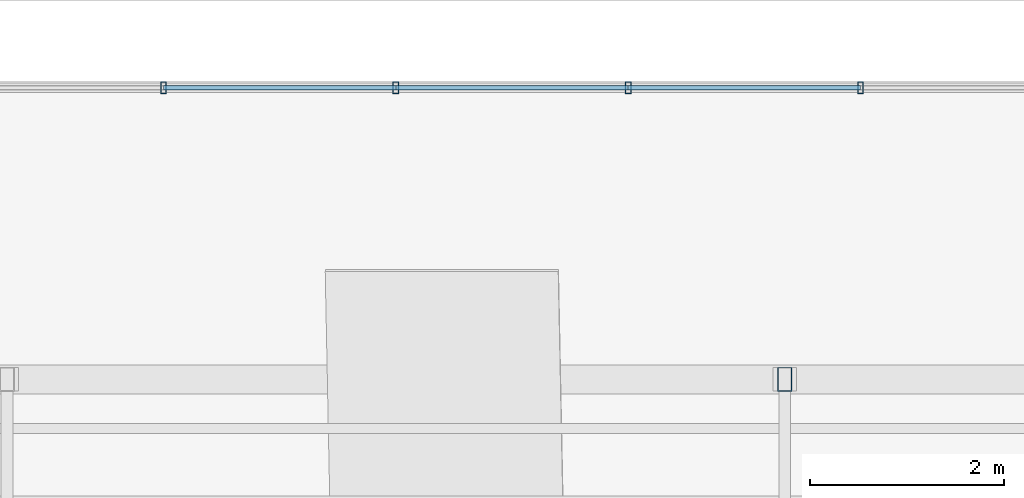
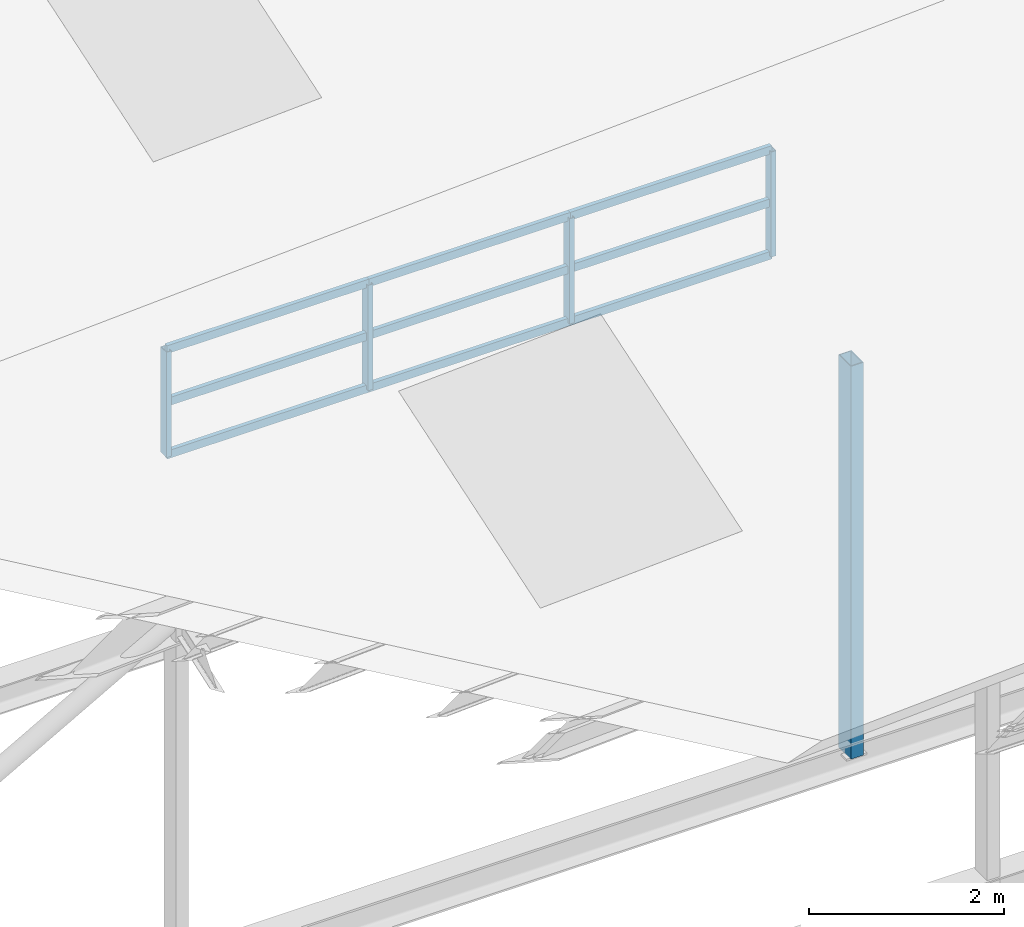
# One storey, part 80 of 141: 14 members, 1 element without a shape of its own.
"""IFC4 building model written with IfcOpenShell, lengths in metres."""

import ifcopenshell
import ifcopenshell.guid

model = None  # the IFC model being written
_history = None  # IfcOwnerHistory: only IFC2X3 demands one
_inside = {}  # id of a spatial element -> (the spatial element, [elements in it])
_under = {}  # id of a project, library or spatial element -> (it, [spatial elements below it])
_declared = {}  # id of a project -> (the project, [libraries it declares])
_typed = {}  # id of a type object -> (the type object, [elements of that type])
_made_of = {}  # id of a material, layer set ... -> (it, [elements and type objects made of it])


def new_model(schema):
    """Start an empty IFC model of exactly this schema.

    Asked for "IFC4X3", IfcOpenShell would pick the latest addendum, in which some entities
    have other attributes; the version numbers below select the first issue.
    IFC2X3 requires an IfcOwnerHistory on every rooted entity: one is made here for all.
    """
    global model, _history
    if schema == "IFC4X3":
        model = ifcopenshell.file(schema_version=(4, 3, 0, 0))
    else:
        model = ifcopenshell.file(schema=schema)
    _inside.clear()
    _under.clear()
    _declared.clear()
    _typed.clear()
    _made_of.clear()
    _history = None
    if model.schema == "IFC2X3":
        org = make("IfcOrganization", Name="unknown")
        user = make(
            "IfcPersonAndOrganization",
            ThePerson=make("IfcPerson", FamilyName="unknown"),
            TheOrganization=org,
        )
        app = make(
            "IfcApplication",
            ApplicationDeveloper=org,
            Version="unknown",
            ApplicationFullName="unknown",
            ApplicationIdentifier="unknown",
        )
        _history = make(
            "IfcOwnerHistory",
            OwningUser=user,
            OwningApplication=app,
            ChangeAction="ADDED",
            CreationDate=0,
        )
    return model


def make(cls, **values):
    """One entity of the class cls with the attributes given. An attribute that is None is left unset."""
    return model.create_entity(
        cls, **{name: value for name, value in values.items() if value is not None}
    )


def rooted(cls, **values):
    """An entity with a GlobalId (a new one), such as an element, a storey or a relation."""
    return make(cls, GlobalId=ifcopenshell.guid.new(), OwnerHistory=_history, **values)


def si_unit(unit_type, name, prefix=None):
    """IfcSIUnit, for example si_unit("LENGTHUNIT", "METRE", prefix="MILLI")."""
    return make("IfcSIUnit", UnitType=unit_type, Prefix=prefix, Name=name)


def assignment(units):
    """IfcUnitAssignment: the units of a project."""
    return None if units is None else make("IfcUnitAssignment", Units=units)


def point(xyz):
    """IfcCartesianPoint."""
    return None if xyz is None else make("IfcCartesianPoint", Coordinates=xyz)


def direction(xyz):
    """IfcDirection."""
    return None if xyz is None else make("IfcDirection", DirectionRatios=xyz)


def frame(location, z_axis=None, x_axis=None):
    """IfcAxis2Placement3D, a coordinate frame: its origin and axes. An axis left out is left unset."""
    return make(
        "IfcAxis2Placement3D",
        Location=point(location),
        Axis=direction(z_axis),
        RefDirection=direction(x_axis),
    )


def frame_2d(location, x_axis=None):
    """IfcAxis2Placement2D, a coordinate frame in the plane: its origin and x axis."""
    return make(
        "IfcAxis2Placement2D", Location=point(location), RefDirection=direction(x_axis)
    )


def origin():
    """The frame at (0, 0, 0) with its axes left unset."""
    return frame((0.0, 0.0, 0.0))


def origin_2d():
    """The frame at (0, 0) in the plane with its x axis left unset."""
    return frame_2d((0.0, 0.0))


def place(relative_to, where):
    """IfcLocalPlacement: puts the frame where relative to a parent placement (None: the world)."""
    return make(
        "IfcLocalPlacement", PlacementRelTo=relative_to, RelativePlacement=where
    )


def context(
    kind, dimensions, precision=None, world=None, true_north=None, identifier=None
):
    """IfcGeometricRepresentationContext, for example the 3D "Model" context."""
    return make(
        "IfcGeometricRepresentationContext",
        ContextIdentifier=identifier,
        ContextType=kind,
        CoordinateSpaceDimension=dimensions,
        Precision=precision,
        WorldCoordinateSystem=world,
        TrueNorth=true_north,
    )


def subcontext(parent, identifier, kind, view, scale=None):
    """IfcGeometricRepresentationSubContext, for example "Body" below "Model"."""
    return make(
        "IfcGeometricRepresentationSubContext",
        ContextIdentifier=identifier,
        ContextType=kind,
        ParentContext=parent,
        TargetScale=scale,
        TargetView=view,
    )


def project(units=None, contexts=None):
    """IfcProject with its units and contexts."""
    return rooted(
        "IfcProject",
        Name="project",
        RepresentationContexts=contexts,
        UnitsInContext=assignment(units),
    )


def spatial(cls, under=None, at=None, **own):
    """A site, building, storey or space (cls), placed at a placement, below another one or the project."""
    s = rooted(cls, ObjectPlacement=at, **own)
    if under is not None:
        _under.setdefault(under.id(), (under, []))[1].append(s)
    return s


def profile(cls, at=None, kind="AREA", **sizes):
    """A parametric profile (cls). Its sizes go by their IFC names, for example OverallWidth=200.0."""
    return make(cls, ProfileType=kind, Position=at, **sizes)


def hollow_rectangle(**sizes):
    """IfcRectangleHollowProfileDef."""
    return profile("IfcRectangleHollowProfileDef", **sizes)


def extrude(swept, where, along, depth):
    """IfcExtrudedAreaSolid: the profile swept, set in the frame where, extruded along a direction by depth."""
    return make(
        "IfcExtrudedAreaSolid",
        SweptArea=swept,
        Position=where,
        ExtrudedDirection=direction(along),
        Depth=depth,
    )


def shape(context_of_items, identifier, shape_type, items):
    """IfcShapeRepresentation: the items that make up one representation, for example the "Body"."""
    return make(
        "IfcShapeRepresentation",
        ContextOfItems=context_of_items,
        RepresentationIdentifier=identifier,
        RepresentationType=shape_type,
        Items=items,
    )


def material(Name=None, Category=None):
    """IfcMaterial."""
    return make("IfcMaterial", Name=Name, Category=Category)


def material_profile(
    of_material, cross_section, Name=None, Category=None, Priority=None
):
    """IfcMaterialProfile: a cross section and its material."""
    return make(
        "IfcMaterialProfile",
        Name=Name,
        Material=of_material,
        Profile=cross_section,
        Priority=Priority,
        Category=Category,
    )


def profile_set(profiles, Name=None, composite=None):
    """IfcMaterialProfileSet."""
    return make(
        "IfcMaterialProfileSet",
        Name=Name,
        MaterialProfiles=profiles,
        CompositeProfile=composite,
    )


def made_of(thing, what):
    """Note that an element or type object is made of a material, layer set ...; save() writes the relation."""
    if what is not None:
        _made_of.setdefault(what.id(), (what, []))[1].append(thing)
    return thing


def type_object(cls, material=None, **own):
    """A type object (cls), such as IfcWallType, which elements share."""
    return made_of(rooted(cls, **own), material)


def element(
    cls,
    number,
    at=None,
    inside=None,
    cuts=None,
    type_object=None,
    material=None,
    context=None,
    identifier="Body",
    shape_type=None,
    held_by="IfcProductDefinitionShape",
    body=None,
    shapes=None,
    **own,
):
    """One element of the class cls, such as IfcWall. Its Tag is "e" and its number.

    at: its placement. inside: the storey or other place that contains it. cuts: it is an
    opening in that element (IfcRelVoidsElement). A single representation is given by context,
    identifier, shape_type and body (its items); several are given by shapes. held_by: the class
    of the entity that holds the representations. save() writes the other relations.
    """
    e = rooted(cls, Tag="e%d" % number, ObjectPlacement=at, **own)
    if body is not None:
        shapes = [shape(context, identifier, shape_type, body)]
    if shapes is not None:
        e.Representation = make(held_by, Representations=shapes)
    if inside is not None:
        _inside.setdefault(inside.id(), (inside, []))[1].append(e)
    if cuts is not None:
        rooted(
            "IfcRelVoidsElement", RelatingBuildingElement=cuts, RelatedOpeningElement=e
        )
    if type_object is not None:
        _typed.setdefault(type_object.id(), (type_object, []))[1].append(e)
    return made_of(e, material)


def aggregate(whole, parts):
    """IfcRelAggregates: a whole, such as a stair, and the parts it consists of."""
    return rooted("IfcRelAggregates", RelatingObject=whole, RelatedObjects=parts)


def save(model, path):
    """Write the relations noted so far, then the file.

    IfcRelAggregates (storeys below a building ...), IfcRelContainedInSpatialStructure (elements
    in a storey), IfcRelDefinesByType, IfcRelAssociatesMaterial and IfcRelDeclares: one each for
    every whole, place, type object, material and project.
    """
    for whole, parts in _under.values():
        aggregate(whole, parts)
    for where, things in _inside.values():
        rooted(
            "IfcRelContainedInSpatialStructure",
            RelatedElements=things,
            RelatingStructure=where,
        )
    for kind, things in _typed.values():
        rooted("IfcRelDefinesByType", RelatedObjects=things, RelatingType=kind)
    for what, things in _made_of.values():
        rooted("IfcRelAssociatesMaterial", RelatedObjects=things, RelatingMaterial=what)
    for by, libraries in _declared.values():
        rooted("IfcRelDeclares", RelatingContext=by, RelatedDefinitions=libraries)
    model.write(path)


model = new_model("IFC4")

# Units and contexts
model_context = context("Model", 3, precision=1e-05, world=origin(), true_north=direction((0.0, 1.0)))
body_context = subcontext(model_context, "Body", "Model", "MODEL_VIEW")
ifc_project = project(units=[si_unit("LENGTHUNIT", "METRE"), si_unit("AREAUNIT", "SQUARE_METRE"), si_unit("VOLUMEUNIT", "CUBIC_METRE"), si_unit("PLANEANGLEUNIT", "RADIAN"), si_unit("MASSUNIT", "GRAM", prefix="KILO")], contexts=[model_context])

# Site, building, storey
site_placement = place(None, origin())
site = spatial("IfcSite", under=ifc_project, at=site_placement, CompositionType="ELEMENT")
building_placement = place(site_placement, origin())
building = spatial("IfcBuilding", under=site, at=building_placement, Name="Sundkrona Museum", CompositionType="ELEMENT")
storey_placement = place(building_placement, frame((0.0, 0.0, 34.0)))
storey = spatial("IfcBuildingStorey", under=building, at=storey_placement, Name="RF", CompositionType="ELEMENT", Elevation=34.0)

# Curtain wall, members
ifc_material_1 = material(Name="Unitised Aluminium-Steel and Ceramic-Clad Curtain Walling", Category="steel")
curtain_wall_type = type_object("IfcCurtainWallType", Name="CW-SW-240x13", PredefinedType="NOTDEFINED", material=ifc_material_1)
curtain_wall_placement = place(storey_placement, origin())
curtain_wall = element("IfcCurtainWall", 1, at=curtain_wall_placement, inside=storey, type_object=curtain_wall_type, Name="Sawtooth Bay 5 West North-Light Clerestory", PredefinedType="NOTDEFINED")
ifc_material_2 = material(Name="Aluminium EN AW-6060 T66", Category="aluminium")
ifc_material_profile_1 = material_profile(ifc_material_2, hollow_rectangle(XDim=0.06005859375, YDim=0.1201171875, WallThickness=0.0048828125, at=origin_2d()), Name="RHS 120x60x5.0")
ifc_profile_set_1 = profile_set([ifc_material_profile_1], Name="Aluminium EN AW-6060 T66")
member_type_1 = type_object("IfcMemberType", Name="ML-120", PredefinedType="MULLION", material=ifc_profile_set_1)
member_1_placement = place(storey_placement, frame((129.610107421875, 34.60009765625, 3.89306640625), z_axis=(0.0, 0.0, 1.0), x_axis=(1.0, 0.0, 0.0)))
member_1 = element("IfcMember", 2, at=member_1_placement, type_object=member_type_1, Name="CW-RF-SAW-05W Mullion 05", PredefinedType="MULLION", context=body_context, shape_type="SweptSolid", body=[
    extrude(hollow_rectangle(XDim=0.06005859375, YDim=0.1201171875, WallThickness=0.0048828125, at=origin_2d()), origin(), (0.0, 0.0, 1.0), 1.31982421875),
])
member_2_placement = place(storey_placement, frame((132.0, 34.60009765625, 3.89306640625), z_axis=(0.0, 0.0, 1.0), x_axis=(1.0, 0.0, 0.0)))
member_2 = element("IfcMember", 3, at=member_2_placement, type_object=member_type_1, Name="CW-RF-SAW-05W Mullion 06", PredefinedType="MULLION", context=body_context, shape_type="SweptSolid", body=[
    extrude(hollow_rectangle(XDim=0.06005859375, YDim=0.1201171875, WallThickness=0.0048828125, at=origin_2d()), origin(), (0.0, 0.0, 1.0), 1.31982421875),
])
member_3_placement = place(storey_placement, frame((134.389892578125, 34.60009765625, 3.89306640625), z_axis=(0.0, 0.0, 1.0), x_axis=(1.0, 0.0, 0.0)))
member_3 = element("IfcMember", 4, at=member_3_placement, type_object=member_type_1, Name="CW-RF-SAW-05W Mullion 07", PredefinedType="MULLION", context=body_context, shape_type="SweptSolid", body=[
    extrude(hollow_rectangle(XDim=0.06005859375, YDim=0.1201171875, WallThickness=0.0048828125, at=origin_2d()), origin(), (0.0, 0.0, 1.0), 1.31982421875),
])
member_4_placement = place(storey_placement, frame((136.780029296875, 34.60009765625, 3.89306640625), z_axis=(0.0, 0.0, 1.0), x_axis=(1.0, 0.0, 0.0)))
member_4 = element("IfcMember", 5, at=member_4_placement, type_object=member_type_1, Name="CW-RF-SAW-05W Mullion 08", PredefinedType="MULLION", context=body_context, shape_type="SweptSolid", body=[
    extrude(hollow_rectangle(XDim=0.06005859375, YDim=0.1201171875, WallThickness=0.0048828125, at=origin_2d()), origin(), (0.0, 0.0, 1.0), 1.31982421875),
])

# Member
ifc_material_3 = material(Name="Steel S355J2", Category="steel")
ifc_material_profile_2 = material_profile(ifc_material_3, hollow_rectangle(XDim=0.14990234375, YDim=0.25, WallThickness=0.010009765625, at=origin_2d()), Name="RHS 250x150x10.0")
ifc_profile_set_2 = profile_set([ifc_material_profile_2], Name="Steel S355J2")
member_type_2 = type_object("IfcMemberType", Name="ST-RHS250", PredefinedType="STRUT", material=ifc_profile_set_2)
member_5_placement = place(storey_placement, frame((136.0, 31.60009765625, -0.25), z_axis=(0.0, 0.0, 1.0), x_axis=(1.0, 0.0, 0.0)))
element("IfcMember", 6, at=member_5_placement, inside=storey, type_object=member_type_2, Name="RFS-1 Sawtooth Truss 5 Vertical Post 3", PredefinedType="STRUT", context=body_context, shape_type="SweptSolid", body=[
    extrude(hollow_rectangle(XDim=0.14990234375, YDim=0.25, WallThickness=0.010009765625, at=origin_2d()), origin(), (0.0, 0.0, 1.0), 4.923095703125),
])

ifc_material_profile_3 = material_profile(ifc_material_2, hollow_rectangle(XDim=0.050048828125, YDim=0.10009765625, WallThickness=0.0048828125, at=origin_2d()), Name="RHS 100x50x5.0")
ifc_profile_set_3 = profile_set([ifc_material_profile_3], Name="Aluminium EN AW-6060 T66")
member_type_3 = type_object("IfcMemberType", Name="TR-100", PredefinedType="USERDEFINED", material=ifc_profile_set_3)
member_6_placement = place(storey_placement, frame((129.610107421875, 34.60009765625, 3.89306640625), z_axis=(1.0, 0.0, 0.0), x_axis=(0.0, 1.0, 0.0)))
member_6 = element("IfcMember", 7, at=member_6_placement, type_object=member_type_3, Name="CW-RF-SAW-05W Transom 13", ObjectType="TRANSOM", PredefinedType="USERDEFINED", context=body_context, shape_type="SweptSolid", body=[
    extrude(hollow_rectangle(XDim=0.050048828125, YDim=0.10009765625, WallThickness=0.0048828125, at=origin_2d()), origin(), (0.0, 0.0, 1.0), 2.389892578125),
])

member_7_placement = place(storey_placement, frame((129.610107421875, 34.60009765625, 4.552978515625), z_axis=(1.0, 0.0, 0.0), x_axis=(0.0, 1.0, 0.0)))
member_7 = element("IfcMember", 8, at=member_7_placement, type_object=member_type_3, Name="CW-RF-SAW-05W Transom 14", ObjectType="TRANSOM", PredefinedType="USERDEFINED", context=body_context, shape_type="SweptSolid", body=[
    extrude(hollow_rectangle(XDim=0.050048828125, YDim=0.10009765625, WallThickness=0.0048828125, at=origin_2d()), origin(), (0.0, 0.0, 1.0), 2.389892578125),
])

member_8_placement = place(storey_placement, frame((129.610107421875, 34.60009765625, 5.212890625), z_axis=(1.0, 0.0, 0.0), x_axis=(0.0, 1.0, 0.0)))
member_8 = element("IfcMember", 9, at=member_8_placement, type_object=member_type_3, Name="CW-RF-SAW-05W Transom 15", ObjectType="TRANSOM", PredefinedType="USERDEFINED", context=body_context, shape_type="SweptSolid", body=[
    extrude(hollow_rectangle(XDim=0.050048828125, YDim=0.10009765625, WallThickness=0.0048828125, at=origin_2d()), origin(), (0.0, 0.0, 1.0), 2.389892578125),
])

member_9_placement = place(storey_placement, frame((132.0, 34.60009765625, 3.89306640625), z_axis=(1.0, 0.0, 0.0), x_axis=(0.0, 1.0, 0.0)))
member_9 = element("IfcMember", 10, at=member_9_placement, type_object=member_type_3, Name="CW-RF-SAW-05W Transom 16", ObjectType="TRANSOM", PredefinedType="USERDEFINED", context=body_context, shape_type="SweptSolid", body=[
    extrude(hollow_rectangle(XDim=0.050048828125, YDim=0.10009765625, WallThickness=0.0048828125, at=origin_2d()), origin(), (0.0, 0.0, 1.0), 2.389892578125),
])

member_10_placement = place(storey_placement, frame((132.0, 34.60009765625, 4.552978515625), z_axis=(1.0, 0.0, 0.0), x_axis=(0.0, 1.0, 0.0)))
member_10 = element("IfcMember", 11, at=member_10_placement, type_object=member_type_3, Name="CW-RF-SAW-05W Transom 17", ObjectType="TRANSOM", PredefinedType="USERDEFINED", context=body_context, shape_type="SweptSolid", body=[
    extrude(hollow_rectangle(XDim=0.050048828125, YDim=0.10009765625, WallThickness=0.0048828125, at=origin_2d()), origin(), (0.0, 0.0, 1.0), 2.389892578125),
])

member_11_placement = place(storey_placement, frame((132.0, 34.60009765625, 5.212890625), z_axis=(1.0, 0.0, 0.0), x_axis=(0.0, 1.0, 0.0)))
member_11 = element("IfcMember", 12, at=member_11_placement, type_object=member_type_3, Name="CW-RF-SAW-05W Transom 18", ObjectType="TRANSOM", PredefinedType="USERDEFINED", context=body_context, shape_type="SweptSolid", body=[
    extrude(hollow_rectangle(XDim=0.050048828125, YDim=0.10009765625, WallThickness=0.0048828125, at=origin_2d()), origin(), (0.0, 0.0, 1.0), 2.389892578125),
])

member_12_placement = place(storey_placement, frame((134.389892578125, 34.60009765625, 3.89306640625), z_axis=(1.0, 0.0, 0.0), x_axis=(0.0, 1.0, 0.0)))
member_12 = element("IfcMember", 13, at=member_12_placement, type_object=member_type_3, Name="CW-RF-SAW-05W Transom 19", ObjectType="TRANSOM", PredefinedType="USERDEFINED", context=body_context, shape_type="SweptSolid", body=[
    extrude(hollow_rectangle(XDim=0.050048828125, YDim=0.10009765625, WallThickness=0.0048828125, at=origin_2d()), origin(), (0.0, 0.0, 1.0), 2.39013671875),
])

member_13_placement = place(storey_placement, frame((134.389892578125, 34.60009765625, 4.552978515625), z_axis=(1.0, 0.0, 0.0), x_axis=(0.0, 1.0, 0.0)))
member_13 = element("IfcMember", 14, at=member_13_placement, type_object=member_type_3, Name="CW-RF-SAW-05W Transom 20", ObjectType="TRANSOM", PredefinedType="USERDEFINED", context=body_context, shape_type="SweptSolid", body=[
    extrude(hollow_rectangle(XDim=0.050048828125, YDim=0.10009765625, WallThickness=0.0048828125, at=origin_2d()), origin(), (0.0, 0.0, 1.0), 2.39013671875),
])

member_14_placement = place(storey_placement, frame((134.389892578125, 34.60009765625, 5.212890625), z_axis=(1.0, 0.0, 0.0), x_axis=(0.0, 1.0, 0.0)))
member_14 = element("IfcMember", 15, at=member_14_placement, type_object=member_type_3, Name="CW-RF-SAW-05W Transom 21", ObjectType="TRANSOM", PredefinedType="USERDEFINED", context=body_context, shape_type="SweptSolid", body=[
    extrude(hollow_rectangle(XDim=0.050048828125, YDim=0.10009765625, WallThickness=0.0048828125, at=origin_2d()), origin(), (0.0, 0.0, 1.0), 2.39013671875),
])

aggregate(curtain_wall, [member_1, member_2, member_3, member_4, member_6, member_7, member_8, member_9, member_10, member_11, member_12, member_13, member_14])

save(model, "model.ifc")
